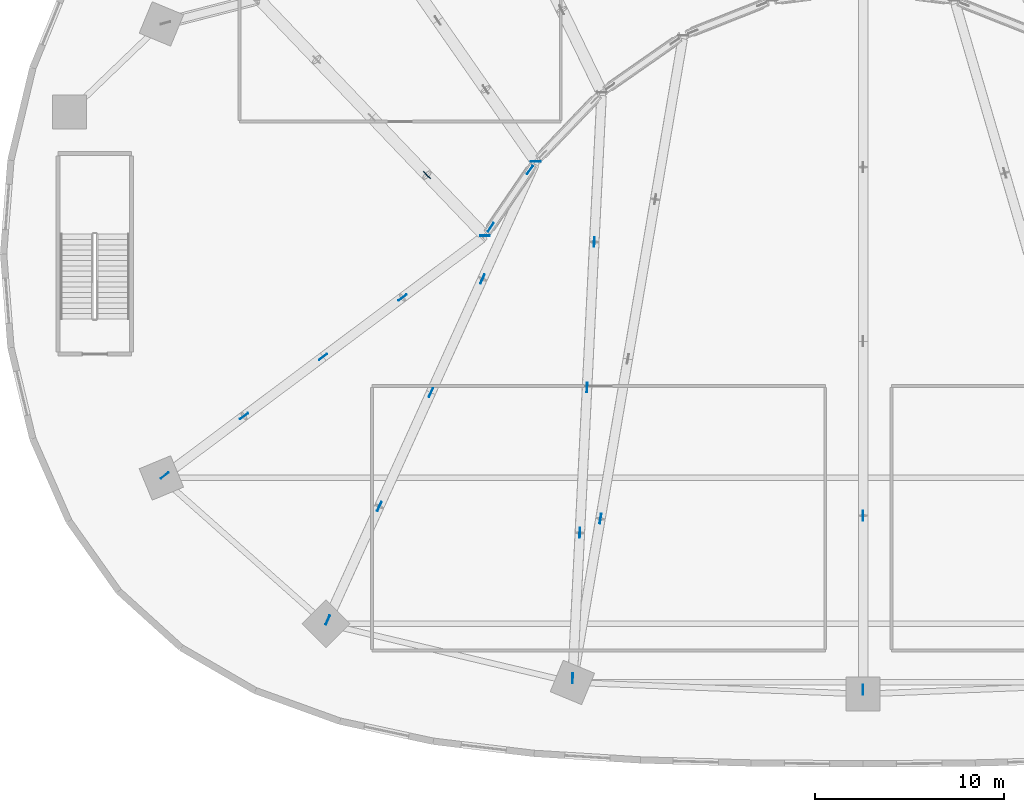
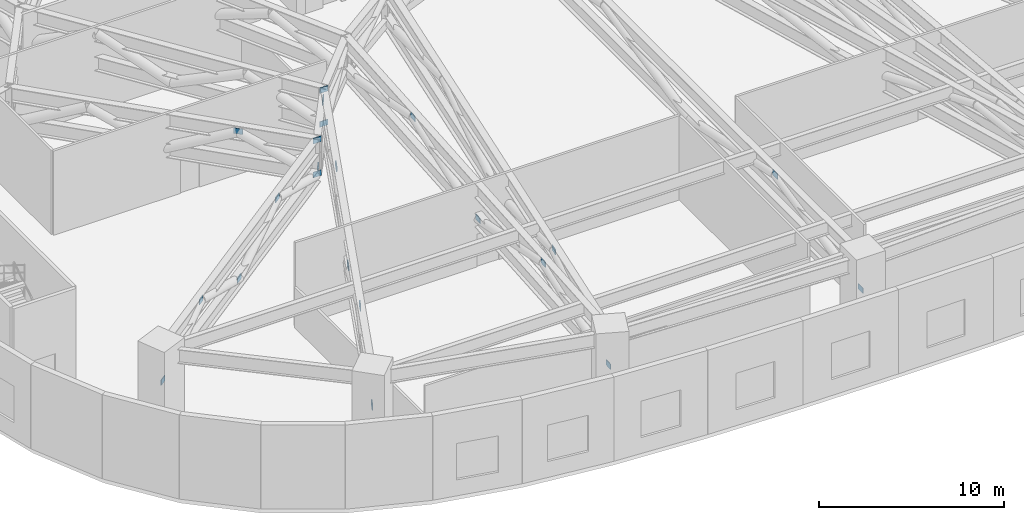
# One storey, part 8 of 19: 22 plates.
"""IFC4 building model written with IfcOpenShell, lengths in metres."""

from ifc_helpers import new_model, si_unit, direction, frame, origin, origin_2d, place, context, subcontext, project, spatial, rectangle, extrude, source, transform, mapped, material, layer, layer_set, type_object, element, save


model = new_model("IFC4")

# Units and contexts
model_context = context("Model", 3, precision=1e-05, world=origin(), true_north=direction((0.0, 1.0)))
body_context = subcontext(model_context, "Body", "Model", "MODEL_VIEW")
ifc_project = project(units=[si_unit("LENGTHUNIT", "METRE"), si_unit("AREAUNIT", "SQUARE_METRE"), si_unit("VOLUMEUNIT", "CUBIC_METRE"), si_unit("PLANEANGLEUNIT", "RADIAN"), si_unit("MASSUNIT", "GRAM", prefix="KILO")], contexts=[model_context])

# Site, building, storey
site_placement = place(None, origin())
site = spatial("IfcSite", under=ifc_project, at=site_placement, CompositionType="ELEMENT")
building_placement = place(site_placement, origin())
building = spatial("IfcBuilding", under=site, at=building_placement, Name="Breltana Convention Tower", CompositionType="ELEMENT")
storey_placement = place(building_placement, frame((0.0, 0.0, 24.0)))
storey = spatial("IfcBuildingStorey", under=building, at=storey_placement, Name="L04", CompositionType="ELEMENT", Elevation=24.0)

# Plates
ifc_material = material(Name="Steel S355", Category="steel")
ifc_layer = layer(ifc_material, 0.0400390625, Name="Steel S355")
ifc_layer_set = layer_set([ifc_layer], Name="Steel S355")
plate_type = type_object("IfcPlateType", Name="PL-GUSSET-40", PredefinedType="USERDEFINED", material=ifc_layer_set)
shared_shape = source(origin(), body_context, "Body", "SweptSolid", [
    extrude(rectangle(XDim=0.52001953125, YDim=0.0400390625, at=origin_2d()), origin(), (0.0, 0.0, 1.0), 0.360107421875),
])
for number, where, z_axis, x_axis, name in (
    (1, (27.984619140625, 42.95458984375, 2.96337890625), (0.0, 0.0, 1.0), (1.0, 0.0, 0.0), "L04 Structural Brace Node Gusset Plate 001"),
    (2, (27.984619140625, 42.95458984375, 5.18994140625), (0.0, 0.0, 1.0), (1.0, 0.0, 0.0), "L04 Structural Brace Node Gusset Plate 002"),
    (3, (30.67724609375, 46.892333984375, 2.96337890625), (0.0, 0.0, 1.0), (1.0, 0.0, 0.0), "L04 Structural Brace Node Gusset Plate 005"),
    (4, (30.67724609375, 46.892333984375, 5.18994140625), (0.0, 0.0, 1.0), (1.0, 0.0, 0.0), "L04 Structural Brace Node Gusset Plate 006"),
    (5, (11.0361328125, 30.268798828125, 2.96337890625), (0.0, 0.0, 1.0), (0.800522223488, 0.599303069992, 0.0), "L04 Structural Brace Node Gusset Plate 045"),
    (6, (15.229248046875, 33.4072265625, 4.89599609375), (0.0, 0.0, 1.0), (0.800522223488, 0.599303069992, 0.0), "L04 Structural Brace Node Gusset Plate 046"),
    (7, (19.42236328125, 36.5458984375, 2.96337890625), (0.0, 0.0, 1.0), (0.800626809413, 0.59916334338, 0.0), "L04 Structural Brace Node Gusset Plate 047"),
    (8, (23.615234375, 39.684326171875, 4.89599609375), (0.0, 0.0, 1.0), (0.800522223488, 0.599303069992, 0.0), "L04 Structural Brace Node Gusset Plate 048"),
    (9, (24.9140625, 46.169189453125, 4.89599609375), (0.0, 0.0, 1.0), (-0.690756218984, 0.723087716626, 0.0), "L04 Structural Brace Node Gusset Plate 049"),
    (10, (19.665283203125, 22.612548828125, 2.96337890625), (0.0, 0.0, 1.0), (0.413104429825, 0.910683660806, 0.0), "L04 Structural Brace Node Gusset Plate 053"),
    (11, (22.3955078125, 28.63232421875, 4.89599609375), (0.0, 0.0, 1.0), (0.413104429825, 0.910683660806, 0.0), "L04 Structural Brace Node Gusset Plate 054"),
    (12, (25.125732421875, 34.65234375, 2.96337890625), (0.0, 0.0, 1.0), (0.413104429825, 0.910683660806, 0.0), "L04 Structural Brace Node Gusset Plate 055"),
    (13, (27.85595703125, 40.672119140625, 4.89599609375), (0.0, 0.0, 1.0), (0.413104429825, 0.910683660806, 0.0), "L04 Structural Brace Node Gusset Plate 056"),
    (14, (32.626953125, 19.5322265625, 2.96337890625), (0.0, 0.0, 1.0), (0.049547056062, 0.998771790368, 0.0), "L04 Structural Brace Node Gusset Plate 061"),
    (15, (33.009033203125, 27.230712890625, 4.89599609375), (0.0, 0.0, 1.0), (0.049547056062, 0.998771790368, 0.0), "L04 Structural Brace Node Gusset Plate 062"),
    (16, (33.39111328125, 34.9287109375, 2.96337890625), (0.0, 0.0, 1.0), (0.049547056062, 0.998771790368, 0.0), "L04 Structural Brace Node Gusset Plate 063"),
    (17, (33.773193359375, 42.626953125, 4.89599609375), (0.0, 0.0, 1.0), (0.049547056062, 0.998771790368, 0.0), "L04 Structural Brace Node Gusset Plate 064"),
    (18, (34.101806640625, 27.982421875, 4.89599609375), (0.0, 0.0, 1.0), (0.168833444713, 0.985644595149, 0.0), "L04 Structural Brace Node Gusset Plate 070"),
    (19, (48.0, 18.919921875, 2.96337890625), (0.0, 0.0, 1.0), (0.0, 1.0, 0.0), "L04 Structural Brace Node Gusset Plate 078"),
    (20, (48.0, 28.14404296875, 4.89599609375), (0.0, 0.0, 1.0), (0.0, 1.0, 0.0), "L04 Structural Brace Node Gusset Plate 079"),
    (21, (28.294921875, 43.40869140625, 2.96337890625), (0.0, 0.0, 1.0), (0.564390827903, 0.825507718546, 0.0), "L04 Structural Brace Node Gusset Plate 125"),
    (22, (30.36669921875, 46.4384765625, 4.89599609375), (0.0, 0.0, 1.0), (0.564390827903, 0.825507718546, 0.0), "L04 Structural Brace Node Gusset Plate 126"),
):
    element("IfcPlate", number, at=place(storey_placement, frame(where, z_axis=z_axis, x_axis=x_axis)), inside=storey, type_object=plate_type, Name=name, ObjectType="GUSSET_PLATE", PredefinedType="USERDEFINED", context=body_context, shape_type="MappedRepresentation", body=[
        mapped(shared_shape, transform((0.0, 0.0, 0.0), scale=1.0)),
    ])

save(model, "model.ifc")
